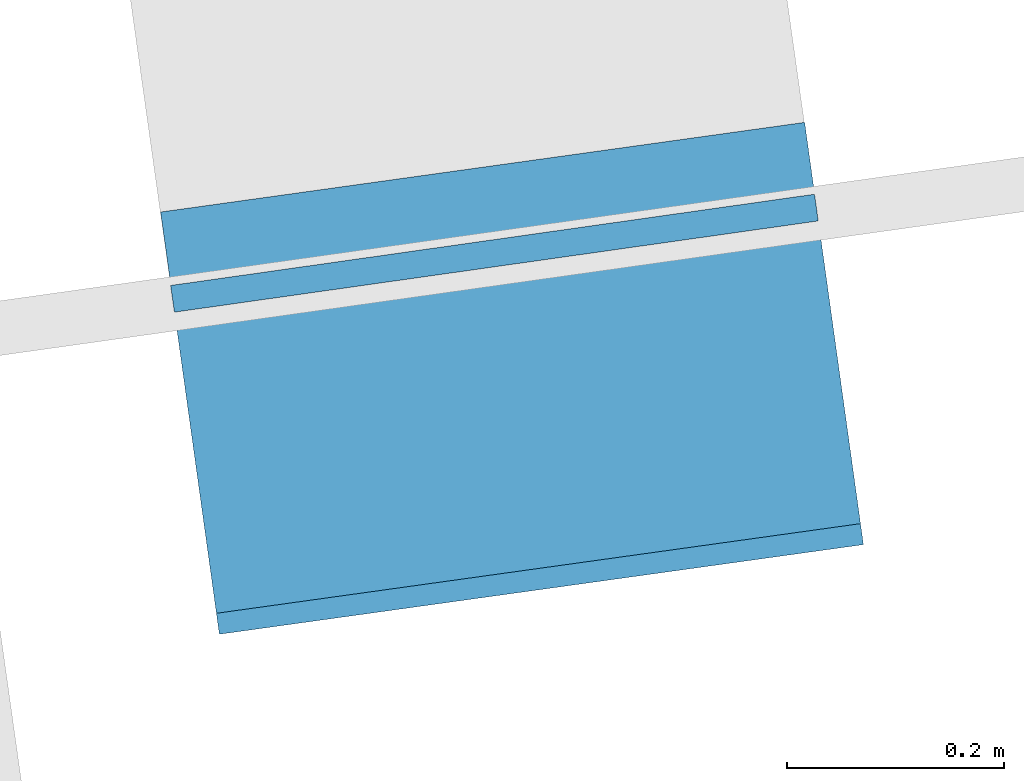
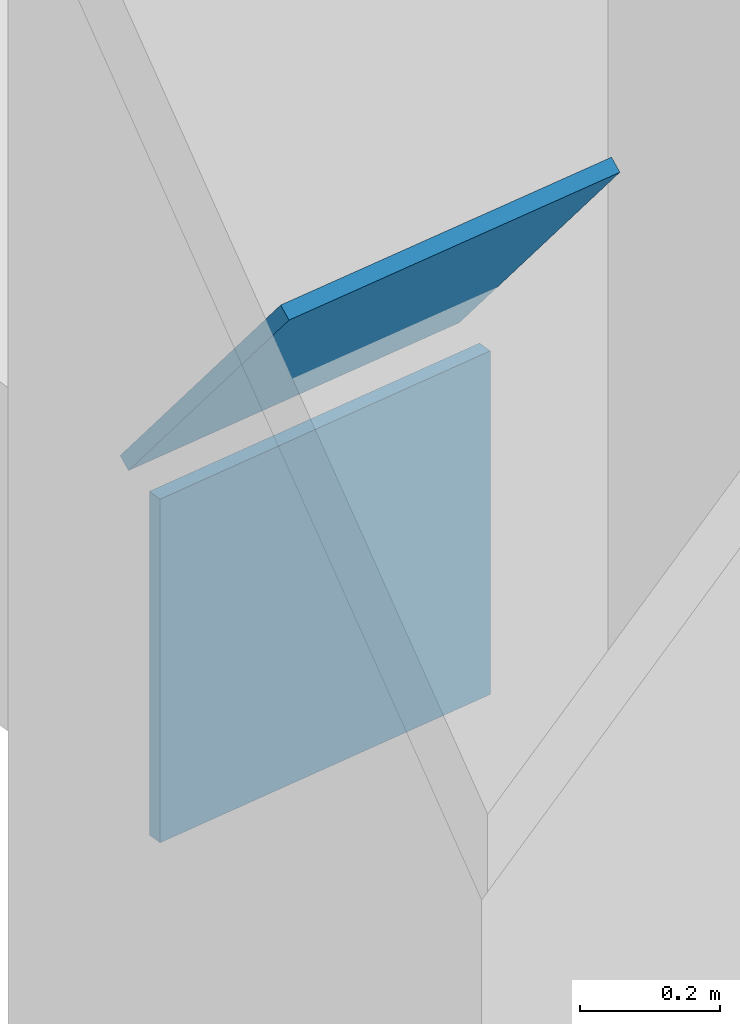
# One storey, part 33 of 36: 2 discrete accessories.
"""IFC4 building model written with IfcOpenShell, lengths in metres."""

from ifc_helpers import new_model, si_unit, direction, frame, origin, origin_2d, place, context, subcontext, project, spatial, rectangle, extrude, material, material_profile, profile_set, type_object, element, save


model = new_model("IFC4")

# Units and contexts
model_context = context("Model", 3, precision=1e-05, world=origin(), true_north=direction((0.0, 1.0)))
body_context = subcontext(model_context, "Body", "Model", "MODEL_VIEW")
ifc_project = project(units=[si_unit("LENGTHUNIT", "METRE"), si_unit("AREAUNIT", "SQUARE_METRE"), si_unit("VOLUMEUNIT", "CUBIC_METRE"), si_unit("PLANEANGLEUNIT", "RADIAN"), si_unit("MASSUNIT", "GRAM", prefix="KILO")], contexts=[model_context])

# Site, building, storey
site_placement = place(None, origin())
site = spatial("IfcSite", under=ifc_project, at=site_placement, CompositionType="ELEMENT")
building_placement = place(site_placement, origin())
building = spatial("IfcBuilding", under=site, at=building_placement, Name="Mirante Cascada Hotel Towers", CompositionType="ELEMENT")
storey_placement = place(building_placement, frame((0.0, 0.0, 254.6)))
storey = spatial("IfcBuildingStorey", under=building, at=storey_placement, Name="L61", CompositionType="ELEMENT", Elevation=254.6)

# Discrete accessories
ifc_material = material(Name="Steel ASTM A572 Gr 50", Category="steel")
ifc_material_profile = material_profile(ifc_material, rectangle(XDim=0.6, YDim=0.6, at=origin_2d()), Name="Connection plate 600x600x25 ASTM A572 Gr 50")
ifc_profile_set = profile_set([ifc_material_profile], Name="Steel ASTM A572 Gr 50")
discrete_accessory_type = type_object("IfcDiscreteAccessoryType", Name="Connection plate 600x600x25 ASTM A572 Gr 50", PredefinedType="BRACKET", material=ifc_profile_set)
discrete_accessory_1_placement = place(storey_placement, frame((61.5842, -18.3599, 1.5437), z_axis=(-0.1078268, 0.7747552, 0.622999), x_axis=(-0.9904536, -0.1378466, 0.0)))
element("IfcDiscreteAccessory", 1, at=discrete_accessory_1_placement, inside=storey, type_object=discrete_accessory_type, Name="Connection plate MB-OL61L", PredefinedType="BRACKET", context=body_context, shape_type="SweptSolid", body=[
    extrude(rectangle(XDim=0.6, YDim=0.6, at=origin_2d()), origin(), (0.0, 0.0, 1.0), 0.025),
])
discrete_accessory_2_placement = place(storey_placement, frame((61.5684, -18.2471, 1.0), z_axis=(-0.1402989, 0.9901092, 0.0), x_axis=(-0.9901092, -0.1402989, 0.0)))
element("IfcDiscreteAccessory", 2, at=discrete_accessory_2_placement, inside=storey, type_object=discrete_accessory_type, Name="Connection plate NCH", PredefinedType="BRACKET", context=body_context, shape_type="SweptSolid", body=[
    extrude(rectangle(XDim=0.6, YDim=0.6, at=origin_2d()), origin(), (0.0, 0.0, 1.0), 0.0249),
])

save(model, "model.ifc")
